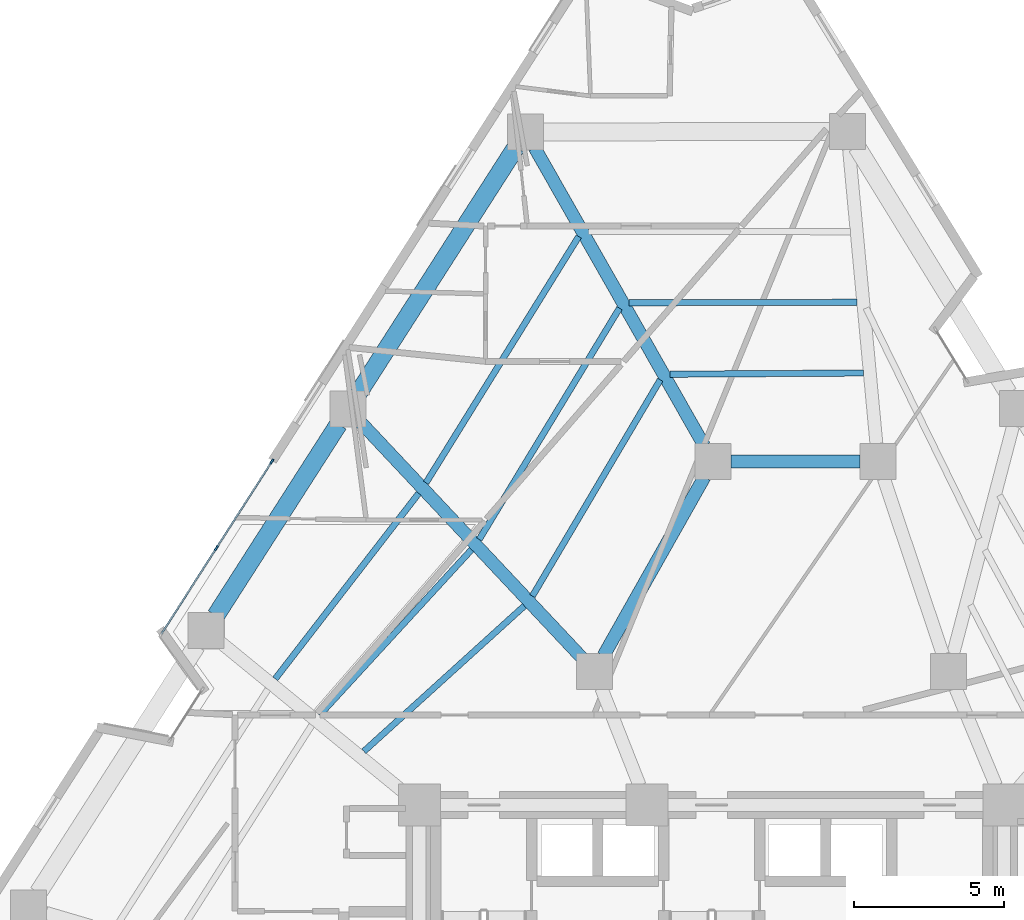
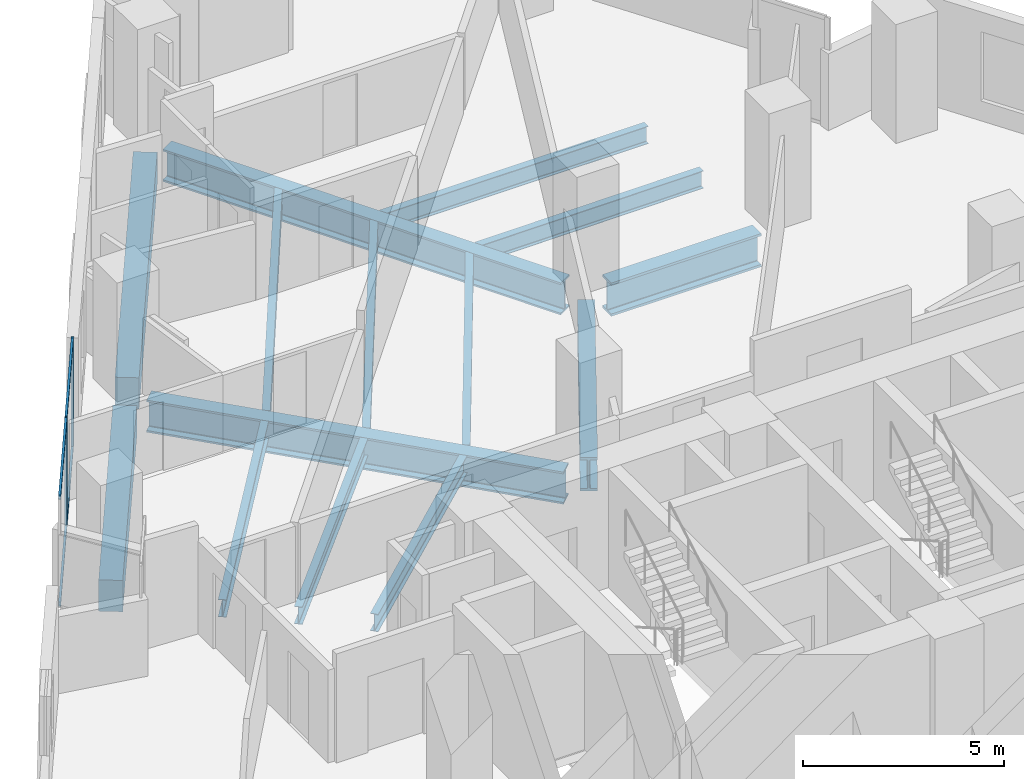
# One storey, part 3 of 13: 14 beams, 6 members, 1 element without a shape of its own.
"""IFC4 building model written with IfcOpenShell, lengths in metres."""

from ifc_helpers import new_model, si_unit, direction, frame, origin, origin_2d, place, context, subcontext, project, spatial, rectangle, i_section, extrude, material, layer, layer_set, material_profile, profile_set, type_object, element, aggregate, save


model = new_model("IFC4")

# Units and contexts
model_context = context("Model", 3, precision=1e-05, world=origin(), true_north=direction((0.0, 1.0)))
body_context = subcontext(model_context, "Body", "Model", "MODEL_VIEW")
ifc_project = project(units=[si_unit("LENGTHUNIT", "METRE"), si_unit("AREAUNIT", "SQUARE_METRE"), si_unit("VOLUMEUNIT", "CUBIC_METRE"), si_unit("PLANEANGLEUNIT", "RADIAN"), si_unit("MASSUNIT", "GRAM", prefix="KILO")], contexts=[model_context])

# Site, building, storey
site_placement = place(None, origin())
site = spatial("IfcSite", under=ifc_project, at=site_placement, CompositionType="ELEMENT")
building_placement = place(site_placement, origin())
building = spatial("IfcBuilding", under=site, at=building_placement, Name="Almagre Mirador Tower", CompositionType="ELEMENT")
storey_placement = place(building_placement, frame((0.0, 0.0, 96.60009765625)))
storey = spatial("IfcBuildingStorey", under=building, at=storey_placement, Name="L24", CompositionType="ELEMENT", Elevation=96.60009765625)

# Beams
ifc_material_1 = material(Name="Steel ASTM A992 Grade 50", Category="steel")
ifc_material_profile_1 = material_profile(ifc_material_1, i_section(OverallWidth=0.208984375, OverallDepth=0.532958984375, WebThickness=0.01025390625, FlangeThickness=0.015625, FilletRadius=0.01806640625, at=origin_2d()), Name="W21X62")
ifc_profile_set_1 = profile_set([ifc_material_profile_1], Name="Steel ASTM A992 Grade 50")
beam_type_1 = type_object("IfcBeamType", Name="BM-JST-W21X62", PredefinedType="JOIST", material=ifc_profile_set_1)
beam_1_placement = place(storey_placement, frame((42.142333984375, 31.50732421875, -0.5166015625), z_axis=(-0.999998857543, -0.001511592523, 0.0), x_axis=(0.001511592523, -0.999998857543, 0.0)))
element("IfcBeam", 1, at=beam_1_placement, inside=storey, type_object=beam_type_1, Name="L24 secondary floor joist PC08-PC09.2", PredefinedType="JOIST", context=body_context, shape_type="SweptSolid", body=[
    extrude(i_section(OverallWidth=0.208984375, OverallDepth=0.532958984375, WebThickness=0.01025390625, FlangeThickness=0.015625, FilletRadius=0.01806640625, at=origin_2d()), origin(), (0.0, 0.0, 1.0), 7.591064453125),
])
beam_2_placement = place(storey_placement, frame((42.361328125, 29.151123046875, -0.5166015625), z_axis=(-0.999979554323, -0.006394602114, 0.0), x_axis=(0.006394602114, -0.999979554323, 0.0)))
element("IfcBeam", 2, at=beam_2_placement, inside=storey, type_object=beam_type_1, Name="L24 secondary floor joist PC08-PC09.3", PredefinedType="JOIST", context=body_context, shape_type="SweptSolid", body=[
    extrude(i_section(OverallWidth=0.208984375, OverallDepth=0.532958984375, WebThickness=0.01025390625, FlangeThickness=0.015625, FilletRadius=0.01806640625, at=origin_2d()), origin(), (0.0, 0.0, 1.0), 6.452392578125),
])
beam_3_placement = place(storey_placement, frame((32.8662109375, 33.70068359375, -0.5166015625), z_axis=(-0.527025078824, -0.849849731594, 0.0), x_axis=(0.849849731594, -0.527025078824, 0.0)))
element("IfcBeam", 3, at=beam_3_placement, inside=storey, type_object=beam_type_1, Name="L24 secondary floor joist PC09-PC10.1", PredefinedType="JOIST", context=body_context, shape_type="SweptSolid", body=[
    extrude(i_section(OverallWidth=0.208984375, OverallDepth=0.532958984375, WebThickness=0.01025390625, FlangeThickness=0.015625, FilletRadius=0.01806640625, at=origin_2d()), origin(), (0.0, 0.0, 1.0), 9.662841796875),
])
beam_4_placement = place(storey_placement, frame((34.226318359375, 31.3125, -0.5166015625), z_axis=(-0.51862919068, -0.854999276359, 0.0), x_axis=(0.854999276359, -0.51862919068, 0.0)))
element("IfcBeam", 4, at=beam_4_placement, inside=storey, type_object=beam_type_1, Name="L24 secondary floor joist PC09-PC10.2", PredefinedType="JOIST", context=body_context, shape_type="SweptSolid", body=[
    extrude(i_section(OverallWidth=0.208984375, OverallDepth=0.532958984375, WebThickness=0.01025390625, FlangeThickness=0.015625, FilletRadius=0.01806640625, at=origin_2d()), origin(), (0.0, 0.0, 1.0), 9.020263671875),
])
beam_5_placement = place(storey_placement, frame((35.586181640625, 28.92431640625, -0.5166015625), z_axis=(-0.508893233188, -0.860829644712, 0.0), x_axis=(0.860829644712, -0.508893233188, 0.0)))
element("IfcBeam", 5, at=beam_5_placement, inside=storey, type_object=beam_type_1, Name="L24 secondary floor joist PC09-PC10.3", PredefinedType="JOIST", context=body_context, shape_type="SweptSolid", body=[
    extrude(i_section(OverallWidth=0.208984375, OverallDepth=0.532958984375, WebThickness=0.01025390625, FlangeThickness=0.015625, FilletRadius=0.01806640625, at=origin_2d()), origin(), (0.0, 0.0, 1.0), 8.37939453125),
])
beam_6_placement = place(storey_placement, frame((27.530029296875, 25.1376953125, -0.5166015625), z_axis=(-0.611727324998, -0.791068694773, 0.0), x_axis=(0.791068694773, -0.611727324998, 0.0)))
element("IfcBeam", 6, at=beam_6_placement, inside=storey, type_object=beam_type_1, Name="L24 secondary floor joist PC10-PC11.1", PredefinedType="JOIST", context=body_context, shape_type="SweptSolid", body=[
    extrude(i_section(OverallWidth=0.208984375, OverallDepth=0.532958984375, WebThickness=0.01025390625, FlangeThickness=0.015625, FilletRadius=0.01806640625, at=origin_2d()), origin(), (0.0, 0.0, 1.0), 7.82080078125),
])
beam_7_placement = place(storey_placement, frame((29.292236328125, 23.259521484375, -0.5166015625), z_axis=(-0.676538846578, -0.73640694529, 0.0), x_axis=(0.73640694529, -0.676538846578, 0.0)))
element("IfcBeam", 7, at=beam_7_placement, inside=storey, type_object=beam_type_1, Name="L24 secondary floor joist PC10-PC11.2", PredefinedType="JOIST", context=body_context, shape_type="SweptSolid", body=[
    extrude(i_section(OverallWidth=0.208984375, OverallDepth=0.532958984375, WebThickness=0.01025390625, FlangeThickness=0.015625, FilletRadius=0.01806640625, at=origin_2d()), origin(), (0.0, 0.0, 1.0), 7.4912109375),
])
beam_8_placement = place(storey_placement, frame((31.054443359375, 21.38330078125, -0.5166015625), z_axis=(-0.7409990396, -0.671506085834, 0.0), x_axis=(0.671506085834, -0.7409990396, 0.0)))
element("IfcBeam", 8, at=beam_8_placement, inside=storey, type_object=beam_type_1, Name="L24 secondary floor joist PC10-PC11.3", PredefinedType="JOIST", context=body_context, shape_type="SweptSolid", body=[
    extrude(i_section(OverallWidth=0.208984375, OverallDepth=0.532958984375, WebThickness=0.01025390625, FlangeThickness=0.015625, FilletRadius=0.01806640625, at=origin_2d()), origin(), (0.0, 0.0, 1.0), 7.22314453125),
])
ifc_material_2 = material(Name="Precast concrete C50/60", Category="concrete")
ifc_material_profile_2 = material_profile(ifc_material_2, rectangle(XDim=0.60009765625, YDim=0.949951171875, at=origin_2d()), Name="RC600X950")
ifc_profile_set_2 = profile_set([ifc_material_profile_2], Name="Precast concrete C50/60")
beam_type_2 = type_object("IfcBeamType", Name="BM-SPN-RC600X950", PredefinedType="SPANDREL", material=ifc_profile_set_2)
beam_9_placement = place(storey_placement, frame((30.7744140625, 36.683837890625, -0.72509765625), z_axis=(-0.539465454843, -0.842007733356, 0.0), x_axis=(0.842007733356, -0.539465454843, 0.0)))
element("IfcBeam", 9, at=beam_9_placement, inside=storey, type_object=beam_type_2, Name="L24 perimeter spandrel beam PC09-PC10", PredefinedType="SPANDREL", context=body_context, shape_type="SweptSolid", body=[
    extrude(rectangle(XDim=0.60009765625, YDim=0.949951171875, at=origin_2d()), origin(), (0.0, 0.0, 1.0), 9.77392578125),
])
beam_10_placement = place(storey_placement, frame((24.854248046875, 27.44384765625, -0.72509765625), z_axis=(-0.539465888447, -0.84200745555, 0.0), x_axis=(0.84200745555, -0.539465888447, 0.0)))
element("IfcBeam", 10, at=beam_10_placement, inside=storey, type_object=beam_type_2, Name="L24 perimeter spandrel beam PC10-PC11", PredefinedType="SPANDREL", context=body_context, shape_type="SweptSolid", body=[
    extrude(rectangle(XDim=0.60009765625, YDim=0.949951171875, at=origin_2d()), origin(), (0.0, 0.0, 1.0), 7.5791015625),
])
ifc_material_3 = material(Name="Steel ASTM A992 Grade 50", Category="steel")
ifc_material_profile_3 = material_profile(ifc_material_3, i_section(OverallWidth=0.427978515625, OverallDepth=0.97509765625, WebThickness=0.031005859375, FlangeThickness=0.055908203125, FilletRadius=0.028076171875, at=origin_2d()), Name="W36X395")
ifc_profile_set_3 = profile_set([ifc_material_profile_3], Name="Steel ASTM A992 Grade 50")
beam_type_3 = type_object("IfcBeamType", Name="BM-STL-W36X395", PredefinedType="BEAM", material=ifc_profile_set_3)
beam_11_placement = place(storey_placement, frame((31.394775390625, 36.66748046875, -0.737548828125), z_axis=(0.494490623946, -0.869182962805, 0.0), x_axis=(0.869182962805, 0.494490623946, 0.0)))
element("IfcBeam", 11, at=beam_11_placement, inside=storey, type_object=beam_type_3, Name="L24 radial floor girder PC09-MC7", PredefinedType="BEAM", context=body_context, shape_type="SweptSolid", body=[
    extrude(i_section(OverallWidth=0.427978515625, OverallDepth=0.97509765625, WebThickness=0.031005859375, FlangeThickness=0.055908203125, FilletRadius=0.028076171875, at=origin_2d()), origin(), (0.0, 0.0, 1.0), 11.44287109375),
])
beam_12_placement = place(storey_placement, frame((25.5888671875, 27.51171875, -0.737548828125), z_axis=(0.684816925133, -0.728715156321, 0.0), x_axis=(0.728715156321, 0.684816925133, 0.0)))
element("IfcBeam", 12, at=beam_12_placement, inside=storey, type_object=beam_type_3, Name="L24 radial floor girder PC10-MC8", PredefinedType="BEAM", context=body_context, shape_type="SweptSolid", body=[
    extrude(i_section(OverallWidth=0.427978515625, OverallDepth=0.97509765625, WebThickness=0.031005859375, FlangeThickness=0.055908203125, FilletRadius=0.028076171875, at=origin_2d()), origin(), (0.0, 0.0, 1.0), 10.805908203125),
])
ifc_material_4 = material(Name="Steel ASTM A992 Grade 50", Category="steel")
ifc_material_profile_4 = material_profile(ifc_material_4, i_section(OverallWidth=0.43701171875, OverallDepth=1.010986328125, WebThickness=0.041015625, FlangeThickness=0.073974609375, FilletRadius=0.028076171875, at=origin_2d()), Name="W36X529")
ifc_profile_set_4 = profile_set([ifc_material_profile_4], Name="Steel ASTM A992 Grade 50")
beam_type_4 = type_object("IfcBeamType", Name="BM-STL-W36X529", PredefinedType="BEAM", material=ifc_profile_set_4)
beam_13_placement = place(storey_placement, frame((37.949951171875, 26.199951171875, -0.755615234375), z_axis=(1.0, 0.0, 0.0), x_axis=(0.0, 1.0, 0.0)))
element("IfcBeam", 13, at=beam_13_placement, inside=storey, type_object=beam_type_4, Name="L24 core tie girder MC7-MC6", PredefinedType="BEAM", context=body_context, shape_type="SweptSolid", body=[
    extrude(i_section(OverallWidth=0.43701171875, OverallDepth=1.010986328125, WebThickness=0.041015625, FlangeThickness=0.073974609375, FilletRadius=0.028076171875, at=origin_2d()), origin(), (0.0, 0.0, 1.0), 4.300048828125),
])
beam_14_placement = place(storey_placement, frame((37.05517578125, 25.677490234375, -0.755615234375), z_axis=(-0.491440637516, -0.870911074564, 0.0), x_axis=(0.870911074564, -0.491440637516, 0.0)))
element("IfcBeam", 14, at=beam_14_placement, inside=storey, type_object=beam_type_4, Name="L24 core tie girder MC7-MC8", PredefinedType="BEAM", context=body_context, shape_type="SweptSolid", body=[
    extrude(i_section(OverallWidth=0.43701171875, OverallDepth=1.010986328125, WebThickness=0.041015625, FlangeThickness=0.073974609375, FilletRadius=0.028076171875, at=origin_2d()), origin(), (0.0, 0.0, 1.0), 6.837646484375),
])

# Curtain wall, members
ifc_material_5 = material(Name="Black anodized aluminium", Category="aluminium")
ifc_layer = layer(ifc_material_5, 0.18994140625)
ifc_layer_set = layer_set([ifc_layer], Name="Black anodized aluminium")
curtain_wall_type = type_object("IfcCurtainWallType", Name="CW-RES-L-SYS", PredefinedType="NOTDEFINED", material=ifc_layer_set)
curtain_wall_placement = place(storey_placement, origin())
curtain_wall = element("IfcCurtainWall", 15, at=curtain_wall_placement, inside=storey, type_object=curtain_wall_type, Name="L24 curtain wall run 02", PredefinedType="NOTDEFINED")
ifc_material_6 = material(Name="Black anodized aluminium", Category="aluminium")
ifc_material_profile_5 = material_profile(ifc_material_6, rectangle(XDim=0.06494140625, YDim=0.179931640625, at=origin_2d()), Name="CWM65X180")
ifc_profile_set_5 = profile_set([ifc_material_profile_5], Name="Black anodized aluminium")
member_type_1 = type_object("IfcMemberType", Name="MBR-CWM65X180", PredefinedType="MULLION", material=ifc_profile_set_5)
member_1_placement = place(storey_placement, frame((20.781494140625, 23.309814453125, 0.0), z_axis=(0.0, 0.0, 1.0), x_axis=(-0.842009852454, 0.539462147301, 0.0)))
member_1 = element("IfcMember", 16, at=member_1_placement, type_object=member_type_1, Name="CW-2 mullion 2", PredefinedType="MULLION", context=body_context, shape_type="SweptSolid", body=[
    extrude(rectangle(XDim=0.06494140625, YDim=0.179931640625, at=origin_2d()), origin(), (0.0, 0.0, 1.0), 3.2998046875),
])
member_2_placement = place(storey_placement, frame((22.6337890625, 26.200927734375, 0.0), z_axis=(0.0, 0.0, 1.0), x_axis=(-0.842009852454, 0.539462147301, 0.0)))
member_2 = element("IfcMember", 17, at=member_2_placement, type_object=member_type_1, Name="CW-2 mullion 3", PredefinedType="MULLION", context=body_context, shape_type="SweptSolid", body=[
    extrude(rectangle(XDim=0.06494140625, YDim=0.179931640625, at=origin_2d()), origin(), (0.0, 0.0, 1.0), 3.2998046875),
])
ifc_material_7 = material(Name="Black anodized aluminium", Category="aluminium")
ifc_material_profile_6 = material_profile(ifc_material_7, rectangle(XDim=0.06005859375, YDim=0.1298828125, at=origin_2d()), Name="CWT60X130")
ifc_profile_set_6 = profile_set([ifc_material_profile_6], Name="Black anodized aluminium")
member_type_2 = type_object("IfcMemberType", Name="MBR-CWT60X130", PredefinedType="USERDEFINED", material=ifc_profile_set_6)
member_3_placement = place(storey_placement, frame((18.946533203125, 20.44580078125, 0.02978515625), z_axis=(0.539489614362, 0.841992254118, 0.0), x_axis=(-0.841992254118, 0.539489614362, 0.0)))
member_3 = element("IfcMember", 18, at=member_3_placement, type_object=member_type_2, Name="CW-2 transom 1.1", ObjectType="TRANSOM", PredefinedType="USERDEFINED", context=body_context, shape_type="SweptSolid", body=[
    extrude(rectangle(XDim=0.06005859375, YDim=0.1298828125, at=origin_2d()), origin(), (0.0, 0.0, 1.0), 3.36865234375),
])
member_4_placement = place(storey_placement, frame((18.946533203125, 20.44580078125, 3.27001953125), z_axis=(0.539489614362, 0.841992254118, 0.0), x_axis=(-0.841992254118, 0.539489614362, 0.0)))
member_4 = element("IfcMember", 19, at=member_4_placement, type_object=member_type_2, Name="CW-2 transom 1.2", ObjectType="TRANSOM", PredefinedType="USERDEFINED", context=body_context, shape_type="SweptSolid", body=[
    extrude(rectangle(XDim=0.06005859375, YDim=0.1298828125, at=origin_2d()), origin(), (0.0, 0.0, 1.0), 3.36865234375),
])
member_5_placement = place(storey_placement, frame((20.798828125, 23.337158203125, 0.02978515625), z_axis=(0.539489614362, 0.841992254118, 0.0), x_axis=(-0.841992254118, 0.539489614362, 0.0)))
member_5 = element("IfcMember", 20, at=member_5_placement, type_object=member_type_2, Name="CW-2 transom 2.1", ObjectType="TRANSOM", PredefinedType="USERDEFINED", context=body_context, shape_type="SweptSolid", body=[
    extrude(rectangle(XDim=0.06005859375, YDim=0.1298828125, at=origin_2d()), origin(), (0.0, 0.0, 1.0), 3.36865234375),
])
member_6_placement = place(storey_placement, frame((20.798828125, 23.337158203125, 3.27001953125), z_axis=(0.539489614362, 0.841992254118, 0.0), x_axis=(-0.841992254118, 0.539489614362, 0.0)))
member_6 = element("IfcMember", 21, at=member_6_placement, type_object=member_type_2, Name="CW-2 transom 2.2", ObjectType="TRANSOM", PredefinedType="USERDEFINED", context=body_context, shape_type="SweptSolid", body=[
    extrude(rectangle(XDim=0.06005859375, YDim=0.1298828125, at=origin_2d()), origin(), (0.0, 0.0, 1.0), 3.36865234375),
])
aggregate(curtain_wall, [member_1, member_2, member_3, member_4, member_5, member_6])

save(model, "model.ifc")
